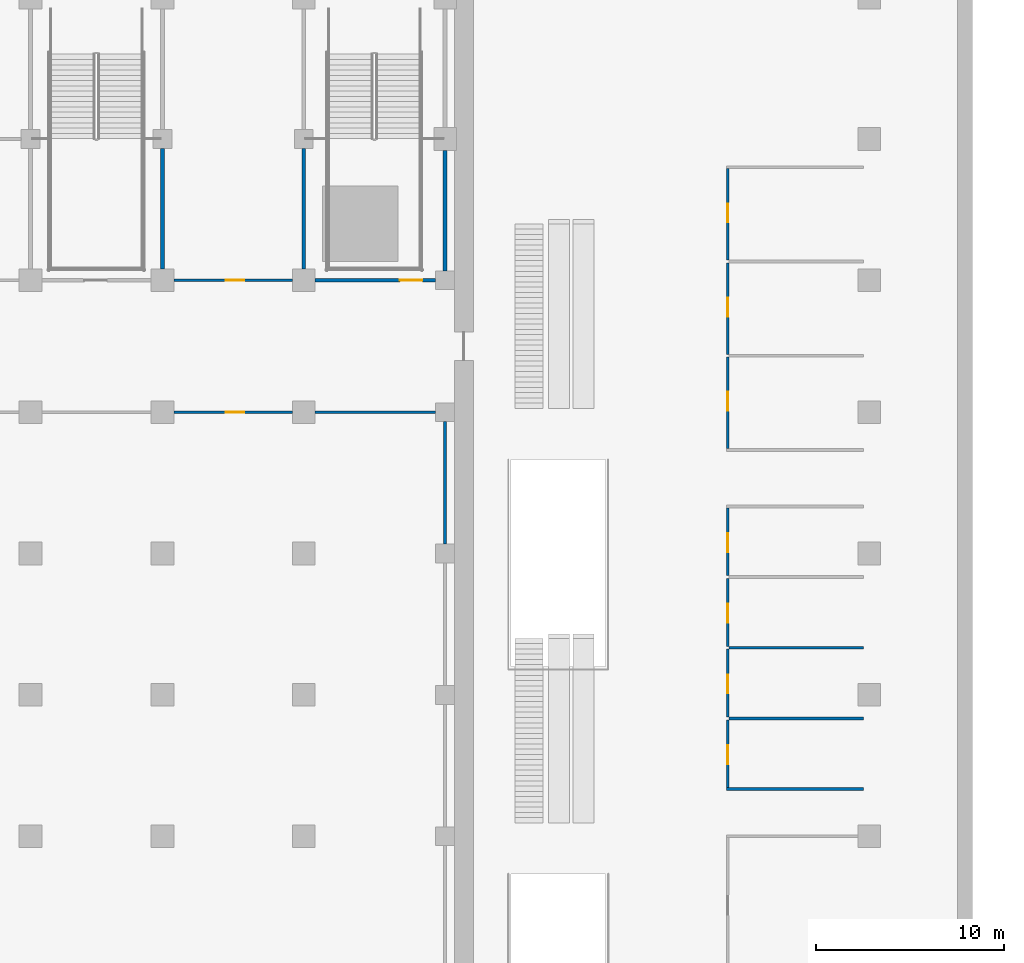
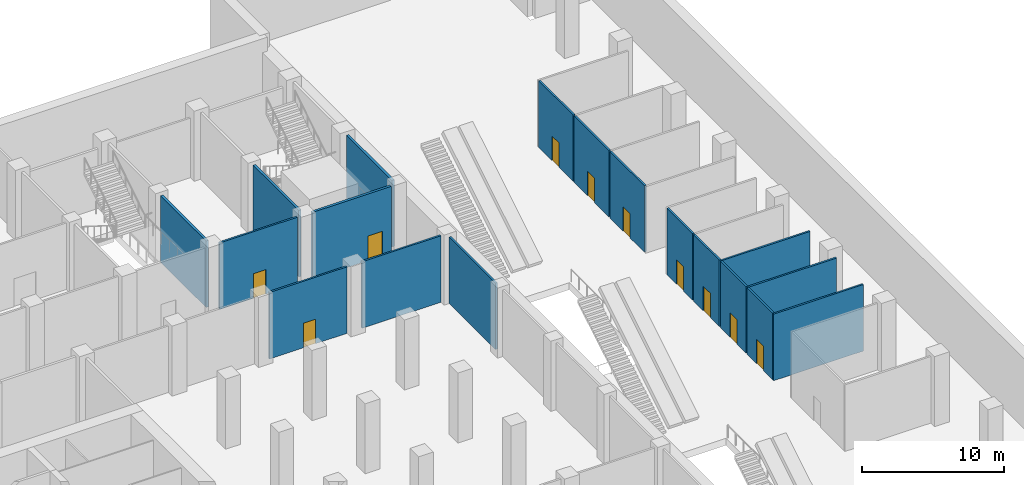
# One storey, part 13 of 45: 18 walls, 10 doors, 10 openings.
"""IFC4 building model written with IfcOpenShell, lengths in metres."""

from ifc_helpers import new_model, si_unit, direction, frame, frame_2d, origin, place, context, subcontext, project, spatial, rectangle, extrude, material, layer, layer_set, type_object, element, fill, save


model = new_model("IFC4")

# Units and contexts
model_context = context("Model", 3, precision=1e-05, world=origin(), true_north=direction((0.0, 1.0)))
body_context = subcontext(model_context, "Body", "Model", "MODEL_VIEW")
ifc_project = project(units=[si_unit("LENGTHUNIT", "METRE"), si_unit("AREAUNIT", "SQUARE_METRE"), si_unit("VOLUMEUNIT", "CUBIC_METRE"), si_unit("PLANEANGLEUNIT", "RADIAN"), si_unit("MASSUNIT", "GRAM", prefix="KILO")], contexts=[model_context])

# Site, building, storey
site_placement = place(None, origin())
site = spatial("IfcSite", under=ifc_project, at=site_placement, CompositionType="ELEMENT")
building_placement = place(site_placement, origin())
building = spatial("IfcBuilding", under=site, at=building_placement, Name="Tamorin Gate", CompositionType="ELEMENT")
storey_placement = place(building_placement, frame((0.0, 0.0, -6.0)))
storey = spatial("IfcBuildingStorey", under=building, at=storey_placement, Name="B1", CompositionType="ELEMENT", Elevation=-6.0)

# Wall, opening, door
ifc_material_1 = material(Name="Concrete masonry C20/25", Category="masonry")
ifc_layer_1 = layer(ifc_material_1, 0.14990234375)
ifc_layer_set_1 = layer_set([ifc_layer_1], Name="Partition 150")
wall_type_1 = type_object("IfcWallType", Name="Partition 150", PredefinedType="PARTITIONING", material=ifc_layer_set_1)
wall_1_placement = place(storey_placement, frame((75.10009765625, 90.0, 0.0), z_axis=(0.0, 0.0, 1.0), x_axis=(1.0, 0.0, 0.0)))
wall_1 = element("IfcWall", 1, at=wall_1_placement, inside=storey, type_object=wall_type_1, Name="Partition 150 B1", PredefinedType="PARTITIONING", context=body_context, shape_type="SweptSolid", body=[
    extrude(rectangle(XDim=6.2998046875, YDim=0.14990234375, at=frame_2d((3.14990234375, 0.0))), origin(), (0.0, 0.0, 1.0), 5.699951171875),
])
opening_1_placement = place(wall_1_placement, frame((2.75, 0.0, 0.0)))
opening_1 = element("IfcOpeningElement", 2, at=opening_1_placement, cuts=wall_1, Name="Opening DP2", PredefinedType="OPENING", context=body_context, shape_type="SweptSolid", body=[
    extrude(rectangle(XDim=1.0, YDim=2.10009765625, at=frame_2d((0.5, 1.050048828125))), frame((0.0, 0.0849609375, 0.0), z_axis=(0.0, -1.0, 0.0), x_axis=(1.0, 0.0, 0.0)), (0.0, 0.0, 1.0), 0.169921875),
])
ifc_material_2 = material(Name="Painted steel", Category="steel")
door_type_1 = type_object("IfcDoorType", Name="Door single 1000", OperationType="SINGLE_SWING_LEFT", PredefinedType="DOOR", material=ifc_material_2)
door_1_placement = place(opening_1_placement, origin())
door_1 = element("IfcDoor", 3, at=door_1_placement, inside=storey, type_object=door_type_1, Name="Door single 1000 B1", OperationType="SINGLE_SWING_LEFT", OverallHeight=2.10009765625, OverallWidth=1.0, PredefinedType="DOOR", context=body_context, shape_type="SweptSolid", body=[
    extrude(rectangle(XDim=1.0, YDim=2.10009765625, at=frame_2d((0.5, 1.050048828125))), frame((0.0, 0.02490234375, 0.0), z_axis=(0.0, -1.0, 0.0), x_axis=(1.0, 0.0, 0.0)), (0.0, 0.0, 1.0), 0.050048828125),
])
fill(opening_1, door_1)

# Wall
wall_2_placement = place(storey_placement, frame((82.60009765625, 90.0, 0.0), z_axis=(0.0, 0.0, 1.0), x_axis=(1.0, 0.0, 0.0)))
element("IfcWall", 4, at=wall_2_placement, inside=storey, type_object=wall_type_1, Name="Partition 150 B1", PredefinedType="PARTITIONING", context=body_context, shape_type="SweptSolid", body=[
    extrude(rectangle(XDim=6.39990234375, YDim=0.14990234375, at=frame_2d((3.199951171875, 0.0))), origin(), (0.0, 0.0, 1.0), 5.699951171875),
])

# Wall, opening, door
wall_3_placement = place(storey_placement, frame((81.39990234375, 97.0, 0.0), z_axis=(0.0, 0.0, 1.0), x_axis=(-1.0, 0.0, 0.0)))
wall_3 = element("IfcWall", 5, at=wall_3_placement, inside=storey, type_object=wall_type_1, Name="Partition 150 B1", PredefinedType="PARTITIONING", context=body_context, shape_type="SweptSolid", body=[
    extrude(rectangle(XDim=6.2998046875, YDim=0.14990234375, at=frame_2d((3.14990234375, 0.0))), origin(), (0.0, 0.0, 1.0), 5.699951171875),
])
opening_2_placement = place(wall_3_placement, frame((2.550048828125, 0.0, 0.0)))
opening_2 = element("IfcOpeningElement", 6, at=opening_2_placement, cuts=wall_3, Name="Opening DP2", PredefinedType="OPENING", context=body_context, shape_type="SweptSolid", body=[
    extrude(rectangle(XDim=1.0, YDim=2.10009765625, at=frame_2d((0.5, 1.050048828125))), frame((0.0, 0.0849609375, 0.0), z_axis=(0.0, -1.0, 0.0), x_axis=(1.0, 0.0, 0.0)), (0.0, 0.0, 1.0), 0.169921875),
])
door_2_placement = place(opening_2_placement, origin())
door_2 = element("IfcDoor", 7, at=door_2_placement, inside=storey, type_object=door_type_1, Name="Door single 1000 B1", OperationType="SINGLE_SWING_LEFT", OverallHeight=2.10009765625, OverallWidth=1.0, PredefinedType="DOOR", context=body_context, shape_type="SweptSolid", body=[
    extrude(rectangle(XDim=1.0, YDim=2.10009765625, at=frame_2d((0.5, 1.050048828125))), frame((0.0, 0.02490234375, 0.0), z_axis=(0.0, -1.0, 0.0), x_axis=(1.0, 0.0, 0.0)), (0.0, 0.0, 1.0), 0.050048828125),
])
fill(opening_2, door_2)

# Walls
wall_4_placement = place(storey_placement, frame((104.425048828125, 70.0, 0.0), z_axis=(0.0, 0.0, 1.0), x_axis=(1.0, 0.0, 0.0)))
element("IfcWall", 8, at=wall_4_placement, inside=storey, type_object=wall_type_1, Name="Partition 150 B1", PredefinedType="PARTITIONING", context=body_context, shape_type="SweptSolid", body=[
    extrude(rectangle(XDim=7.27490234375, YDim=0.14990234375, at=frame_2d((3.637451171875, 0.0))), origin(), (0.0, 0.0, 1.0), 5.699951171875),
])
for number, where, z_axis, x_axis, name in (
    (9, (104.574951171875, 73.75, 0.0), (0.0, 0.0, 1.0), (1.0, 0.0, 0.0), "Partition 150 B1"),
    (10, (104.574951171875, 77.5, 0.0), (0.0, 0.0, 1.0), (1.0, 0.0, 0.0), "Partition 150 B1"),
):
    element("IfcWall", number, at=place(storey_placement, frame(where, z_axis=z_axis, x_axis=x_axis)), inside=storey, type_object=wall_type_1, Name=name, PredefinedType="PARTITIONING", context=body_context, shape_type="SweptSolid", body=[
        extrude(rectangle(XDim=7.125, YDim=0.14990234375, at=frame_2d((3.5625, 0.0))), origin(), (0.0, 0.0, 1.0), 5.699951171875),
    ])
wall_5_placement = place(storey_placement, frame((89.5, 83.0, 0.0), z_axis=(0.0, 0.0, 1.0), x_axis=(0.0, 1.0, 0.0)))
element("IfcWall", 11, at=wall_5_placement, inside=storey, type_object=wall_type_1, Name="Partition 150 B1", PredefinedType="PARTITIONING", context=body_context, shape_type="SweptSolid", body=[
    extrude(rectangle(XDim=6.5, YDim=0.14990234375, at=frame_2d((3.25, 0.0))), origin(), (0.0, 0.0, 1.0), 5.699951171875),
])

# Wall, opening, door
wall_6_placement = place(storey_placement, frame((104.5, 70.074951171875, 0.0), z_axis=(0.0, 0.0, 1.0), x_axis=(0.0, 1.0, 0.0)))
wall_6 = element("IfcWall", 12, at=wall_6_placement, inside=storey, type_object=wall_type_1, Name="Partition 150 B1", PredefinedType="PARTITIONING", context=body_context, shape_type="SweptSolid", body=[
    extrude(rectangle(XDim=3.60009765625, YDim=0.14990234375, at=frame_2d((1.800048828125, 0.0))), origin(), (0.0, 0.0, 1.0), 5.699951171875),
])
opening_3_placement = place(wall_6_placement, frame((1.25, 0.0, 0.0)))
opening_3 = element("IfcOpeningElement", 13, at=opening_3_placement, cuts=wall_6, Name="Opening DP2", PredefinedType="OPENING", context=body_context, shape_type="SweptSolid", body=[
    extrude(rectangle(XDim=1.0, YDim=2.10009765625, at=frame_2d((0.5, 1.050048828125))), frame((0.0, 0.0849609375, 0.0), z_axis=(0.0, -1.0, 0.0), x_axis=(1.0, 0.0, 0.0)), (0.0, 0.0, 1.0), 0.169921875),
])
door_3_placement = place(opening_3_placement, origin())
door_3 = element("IfcDoor", 14, at=door_3_placement, inside=storey, type_object=door_type_1, Name="Door single 1000 B1", OperationType="SINGLE_SWING_LEFT", OverallHeight=2.10009765625, OverallWidth=1.0, PredefinedType="DOOR", context=body_context, shape_type="SweptSolid", body=[
    extrude(rectangle(XDim=1.0, YDim=2.10009765625, at=frame_2d((0.5, 1.050048828125))), frame((0.0, 0.02490234375, 0.0), z_axis=(0.0, -1.0, 0.0), x_axis=(1.0, 0.0, 0.0)), (0.0, 0.0, 1.0), 0.050048828125),
])
fill(opening_3, door_3)

wall_7_placement = place(storey_placement, frame((104.5, 73.824951171875, 0.0), z_axis=(0.0, 0.0, 1.0), x_axis=(0.0, 1.0, 0.0)))
wall_7 = element("IfcWall", 15, at=wall_7_placement, inside=storey, type_object=wall_type_1, Name="Partition 150 B1", PredefinedType="PARTITIONING", context=body_context, shape_type="SweptSolid", body=[
    extrude(rectangle(XDim=3.60009765625, YDim=0.14990234375, at=frame_2d((1.800048828125, 0.0))), origin(), (0.0, 0.0, 1.0), 5.699951171875),
])
opening_4_placement = place(wall_7_placement, frame((1.25, 0.0, 0.0)))
opening_4 = element("IfcOpeningElement", 16, at=opening_4_placement, cuts=wall_7, Name="Opening DP2", PredefinedType="OPENING", context=body_context, shape_type="SweptSolid", body=[
    extrude(rectangle(XDim=1.0, YDim=2.10009765625, at=frame_2d((0.5, 1.050048828125))), frame((0.0, 0.0849609375, 0.0), z_axis=(0.0, -1.0, 0.0), x_axis=(1.0, 0.0, 0.0)), (0.0, 0.0, 1.0), 0.169921875),
])
door_4_placement = place(opening_4_placement, origin())
door_4 = element("IfcDoor", 17, at=door_4_placement, inside=storey, type_object=door_type_1, Name="Door single 1000 B1", OperationType="SINGLE_SWING_LEFT", OverallHeight=2.10009765625, OverallWidth=1.0, PredefinedType="DOOR", context=body_context, shape_type="SweptSolid", body=[
    extrude(rectangle(XDim=1.0, YDim=2.10009765625, at=frame_2d((0.5, 1.050048828125))), frame((0.0, 0.02490234375, 0.0), z_axis=(0.0, -1.0, 0.0), x_axis=(1.0, 0.0, 0.0)), (0.0, 0.0, 1.0), 0.050048828125),
])
fill(opening_4, door_4)

wall_8_placement = place(storey_placement, frame((104.5, 77.574951171875, 0.0), z_axis=(0.0, 0.0, 1.0), x_axis=(0.0, 1.0, 0.0)))
wall_8 = element("IfcWall", 18, at=wall_8_placement, inside=storey, type_object=wall_type_1, Name="Partition 150 B1", PredefinedType="PARTITIONING", context=body_context, shape_type="SweptSolid", body=[
    extrude(rectangle(XDim=3.60009765625, YDim=0.14990234375, at=frame_2d((1.800048828125, 0.0))), origin(), (0.0, 0.0, 1.0), 5.699951171875),
])
opening_5_placement = place(wall_8_placement, frame((1.25, 0.0, 0.0)))
opening_5 = element("IfcOpeningElement", 19, at=opening_5_placement, cuts=wall_8, Name="Opening DP2", PredefinedType="OPENING", context=body_context, shape_type="SweptSolid", body=[
    extrude(rectangle(XDim=1.0, YDim=2.10009765625, at=frame_2d((0.5, 1.050048828125))), frame((0.0, 0.0849609375, 0.0), z_axis=(0.0, -1.0, 0.0), x_axis=(1.0, 0.0, 0.0)), (0.0, 0.0, 1.0), 0.169921875),
])
door_5_placement = place(opening_5_placement, origin())
door_5 = element("IfcDoor", 20, at=door_5_placement, inside=storey, type_object=door_type_1, Name="Door single 1000 B1", OperationType="SINGLE_SWING_LEFT", OverallHeight=2.10009765625, OverallWidth=1.0, PredefinedType="DOOR", context=body_context, shape_type="SweptSolid", body=[
    extrude(rectangle(XDim=1.0, YDim=2.10009765625, at=frame_2d((0.5, 1.050048828125))), frame((0.0, 0.02490234375, 0.0), z_axis=(0.0, -1.0, 0.0), x_axis=(1.0, 0.0, 0.0)), (0.0, 0.0, 1.0), 0.050048828125),
])
fill(opening_5, door_5)

wall_9_placement = place(storey_placement, frame((104.5, 81.324951171875, 0.0), z_axis=(0.0, 0.0, 1.0), x_axis=(0.0, 1.0, 0.0)))
wall_9 = element("IfcWall", 21, at=wall_9_placement, inside=storey, type_object=wall_type_1, Name="Partition 150 B1", PredefinedType="PARTITIONING", context=body_context, shape_type="SweptSolid", body=[
    extrude(rectangle(XDim=3.60009765625, YDim=0.14990234375, at=frame_2d((1.800048828125, 0.0))), origin(), (0.0, 0.0, 1.0), 5.699951171875),
])
opening_6_placement = place(wall_9_placement, frame((1.25, 0.0, 0.0)))
opening_6 = element("IfcOpeningElement", 22, at=opening_6_placement, cuts=wall_9, Name="Opening DP2", PredefinedType="OPENING", context=body_context, shape_type="SweptSolid", body=[
    extrude(rectangle(XDim=1.0, YDim=2.10009765625, at=frame_2d((0.5, 1.050048828125))), frame((0.0, 0.0849609375, 0.0), z_axis=(0.0, -1.0, 0.0), x_axis=(1.0, 0.0, 0.0)), (0.0, 0.0, 1.0), 0.169921875),
])
door_6_placement = place(opening_6_placement, origin())
door_6 = element("IfcDoor", 23, at=door_6_placement, inside=storey, type_object=door_type_1, Name="Door single 1000 B1", OperationType="SINGLE_SWING_LEFT", OverallHeight=2.10009765625, OverallWidth=1.0, PredefinedType="DOOR", context=body_context, shape_type="SweptSolid", body=[
    extrude(rectangle(XDim=1.0, YDim=2.10009765625, at=frame_2d((0.5, 1.050048828125))), frame((0.0, 0.02490234375, 0.0), z_axis=(0.0, -1.0, 0.0), x_axis=(1.0, 0.0, 0.0)), (0.0, 0.0, 1.0), 0.050048828125),
])
fill(opening_6, door_6)

wall_10_placement = place(storey_placement, frame((104.5, 88.074951171875, 0.0), z_axis=(0.0, 0.0, 1.0), x_axis=(0.0, 1.0, 0.0)))
wall_10 = element("IfcWall", 24, at=wall_10_placement, inside=storey, type_object=wall_type_1, Name="Partition 150 B1", PredefinedType="PARTITIONING", context=body_context, shape_type="SweptSolid", body=[
    extrude(rectangle(XDim=4.85009765625, YDim=0.14990234375, at=frame_2d((2.425048828125, 0.0))), origin(), (0.0, 0.0, 1.0), 5.699951171875),
])
opening_7_placement = place(wall_10_placement, frame((2.0, 0.0, 0.0)))
opening_7 = element("IfcOpeningElement", 25, at=opening_7_placement, cuts=wall_10, Name="Opening DP2", PredefinedType="OPENING", context=body_context, shape_type="SweptSolid", body=[
    extrude(rectangle(XDim=1.0, YDim=2.10009765625, at=frame_2d((0.5, 1.050048828125))), frame((0.0, 0.0849609375, 0.0), z_axis=(0.0, -1.0, 0.0), x_axis=(1.0, 0.0, 0.0)), (0.0, 0.0, 1.0), 0.169921875),
])
door_7_placement = place(opening_7_placement, origin())
door_7 = element("IfcDoor", 26, at=door_7_placement, inside=storey, type_object=door_type_1, Name="Door single 1000 B1", OperationType="SINGLE_SWING_LEFT", OverallHeight=2.10009765625, OverallWidth=1.0, PredefinedType="DOOR", context=body_context, shape_type="SweptSolid", body=[
    extrude(rectangle(XDim=1.0, YDim=2.10009765625, at=frame_2d((0.5, 1.050048828125))), frame((0.0, 0.02490234375, 0.0), z_axis=(0.0, -1.0, 0.0), x_axis=(1.0, 0.0, 0.0)), (0.0, 0.0, 1.0), 0.050048828125),
])
fill(opening_7, door_7)

wall_11_placement = place(storey_placement, frame((104.5, 93.074951171875, 0.0), z_axis=(0.0, 0.0, 1.0), x_axis=(0.0, 1.0, 0.0)))
wall_11 = element("IfcWall", 27, at=wall_11_placement, inside=storey, type_object=wall_type_1, Name="Partition 150 B1", PredefinedType="PARTITIONING", context=body_context, shape_type="SweptSolid", body=[
    extrude(rectangle(XDim=4.85009765625, YDim=0.14990234375, at=frame_2d((2.425048828125, 0.0))), origin(), (0.0, 0.0, 1.0), 5.699951171875),
])
opening_8_placement = place(wall_11_placement, frame((2.0, 0.0, 0.0)))
opening_8 = element("IfcOpeningElement", 28, at=opening_8_placement, cuts=wall_11, Name="Opening DP2", PredefinedType="OPENING", context=body_context, shape_type="SweptSolid", body=[
    extrude(rectangle(XDim=1.0, YDim=2.10009765625, at=frame_2d((0.5, 1.050048828125))), frame((0.0, 0.0849609375, 0.0), z_axis=(0.0, -1.0, 0.0), x_axis=(1.0, 0.0, 0.0)), (0.0, 0.0, 1.0), 0.169921875),
])
door_8_placement = place(opening_8_placement, origin())
door_8 = element("IfcDoor", 29, at=door_8_placement, inside=storey, type_object=door_type_1, Name="Door single 1000 B1", OperationType="SINGLE_SWING_LEFT", OverallHeight=2.10009765625, OverallWidth=1.0, PredefinedType="DOOR", context=body_context, shape_type="SweptSolid", body=[
    extrude(rectangle(XDim=1.0, YDim=2.10009765625, at=frame_2d((0.5, 1.050048828125))), frame((0.0, 0.02490234375, 0.0), z_axis=(0.0, -1.0, 0.0), x_axis=(1.0, 0.0, 0.0)), (0.0, 0.0, 1.0), 0.050048828125),
])
fill(opening_8, door_8)

wall_12_placement = place(storey_placement, frame((104.5, 98.074951171875, 0.0), z_axis=(0.0, 0.0, 1.0), x_axis=(0.0, 1.0, 0.0)))
wall_12 = element("IfcWall", 30, at=wall_12_placement, inside=storey, type_object=wall_type_1, Name="Partition 150 B1", PredefinedType="PARTITIONING", context=body_context, shape_type="SweptSolid", body=[
    extrude(rectangle(XDim=4.85009765625, YDim=0.14990234375, at=frame_2d((2.425048828125, 0.0))), origin(), (0.0, 0.0, 1.0), 5.699951171875),
])
opening_9_placement = place(wall_12_placement, frame((2.0, 0.0, 0.0)))
opening_9 = element("IfcOpeningElement", 31, at=opening_9_placement, cuts=wall_12, Name="Opening DP2", PredefinedType="OPENING", context=body_context, shape_type="SweptSolid", body=[
    extrude(rectangle(XDim=1.0, YDim=2.10009765625, at=frame_2d((0.5, 1.050048828125))), frame((0.0, 0.0849609375, 0.0), z_axis=(0.0, -1.0, 0.0), x_axis=(1.0, 0.0, 0.0)), (0.0, 0.0, 1.0), 0.169921875),
])
door_9_placement = place(opening_9_placement, origin())
door_9 = element("IfcDoor", 32, at=door_9_placement, inside=storey, type_object=door_type_1, Name="Door single 1000 B1", OperationType="SINGLE_SWING_LEFT", OverallHeight=2.10009765625, OverallWidth=1.0, PredefinedType="DOOR", context=body_context, shape_type="SweptSolid", body=[
    extrude(rectangle(XDim=1.0, YDim=2.10009765625, at=frame_2d((0.5, 1.050048828125))), frame((0.0, 0.02490234375, 0.0), z_axis=(0.0, -1.0, 0.0), x_axis=(1.0, 0.0, 0.0)), (0.0, 0.0, 1.0), 0.050048828125),
])
fill(opening_9, door_9)

ifc_material_3 = material(Name="Concrete C40/50", Category="concrete")
ifc_layer_2 = layer(ifc_material_3, 0.199951171875)
ifc_layer_set_2 = layer_set([ifc_layer_2], Name="Stair enclosure 200")
wall_type_2 = type_object("IfcWallType", Name="Stair enclosure 200", PredefinedType="SHEAR", material=ifc_layer_set_2)
wall_13_placement = place(storey_placement, frame((82.60009765625, 97.0, 0.0), z_axis=(0.0, 0.0, 1.0), x_axis=(1.0, 0.0, 0.0)))
wall_13 = element("IfcWall", 33, at=wall_13_placement, inside=storey, type_object=wall_type_2, Name="Stair enclosure 200 B1", PredefinedType="SHEAR", context=body_context, shape_type="SweptSolid", body=[
    extrude(rectangle(XDim=6.39990234375, YDim=0.199951171875, at=frame_2d((3.199951171875, 0.0))), origin(), (0.0, 0.0, 1.0), 5.699951171875),
])
opening_10_placement = place(wall_13_placement, frame((4.5, 0.0, 0.0)))
opening_10 = element("IfcOpeningElement", 34, at=opening_10_placement, cuts=wall_13, Name="Opening DP5", PredefinedType="OPENING", context=body_context, shape_type="SweptSolid", body=[
    extrude(rectangle(XDim=1.199951171875, YDim=2.10009765625, at=frame_2d((0.60009765625, 1.050048828125))), frame((0.0, 0.10986328125, 0.0), z_axis=(0.0, -1.0, 0.0), x_axis=(1.0, 0.0, 0.0)), (0.0, 0.0, 1.0), 0.219970703125),
])
door_type_2 = type_object("IfcDoorType", Name="Stair door 1200", OperationType="SINGLE_SWING_LEFT", PredefinedType="DOOR", material=ifc_material_2)
door_10_placement = place(opening_10_placement, origin())
door_10 = element("IfcDoor", 35, at=door_10_placement, inside=storey, type_object=door_type_2, Name="Stair door 1200 B1", OperationType="SINGLE_SWING_LEFT", OverallHeight=2.10009765625, OverallWidth=1.199951171875, PredefinedType="DOOR", context=body_context, shape_type="SweptSolid", body=[
    extrude(rectangle(XDim=1.199951171875, YDim=2.10009765625, at=frame_2d((0.60009765625, 1.050048828125))), frame((0.0, 0.02490234375, 0.0), z_axis=(0.0, -1.0, 0.0), x_axis=(1.0, 0.0, 0.0)), (0.0, 0.0, 1.0), 0.050048828125),
])
fill(opening_10, door_10)

# Walls
for number, where, z_axis, x_axis, name in (
    (36, (74.5, 97.60009765625, 0.0), (0.0, 0.0, 1.0), (0.0, 1.0, 0.0), "Stair enclosure 200 B1"),
    (37, (82.0, 97.60009765625, 0.0), (0.0, 0.0, 1.0), (0.0, 1.0, 0.0), "Stair enclosure 200 B1"),
    (38, (89.5, 97.5, 0.0), (0.0, 0.0, 1.0), (0.0, 1.0, 0.0), "Stair enclosure 200 B1"),
):
    element("IfcWall", number, at=place(storey_placement, frame(where, z_axis=z_axis, x_axis=x_axis)), inside=storey, type_object=wall_type_2, Name=name, PredefinedType="SHEAR", context=body_context, shape_type="SweptSolid", body=[
        extrude(rectangle(XDim=6.39990234375, YDim=0.199951171875, at=frame_2d((3.199951171875, 0.0))), origin(), (0.0, 0.0, 1.0), 5.699951171875),
    ])

save(model, "model.ifc")
